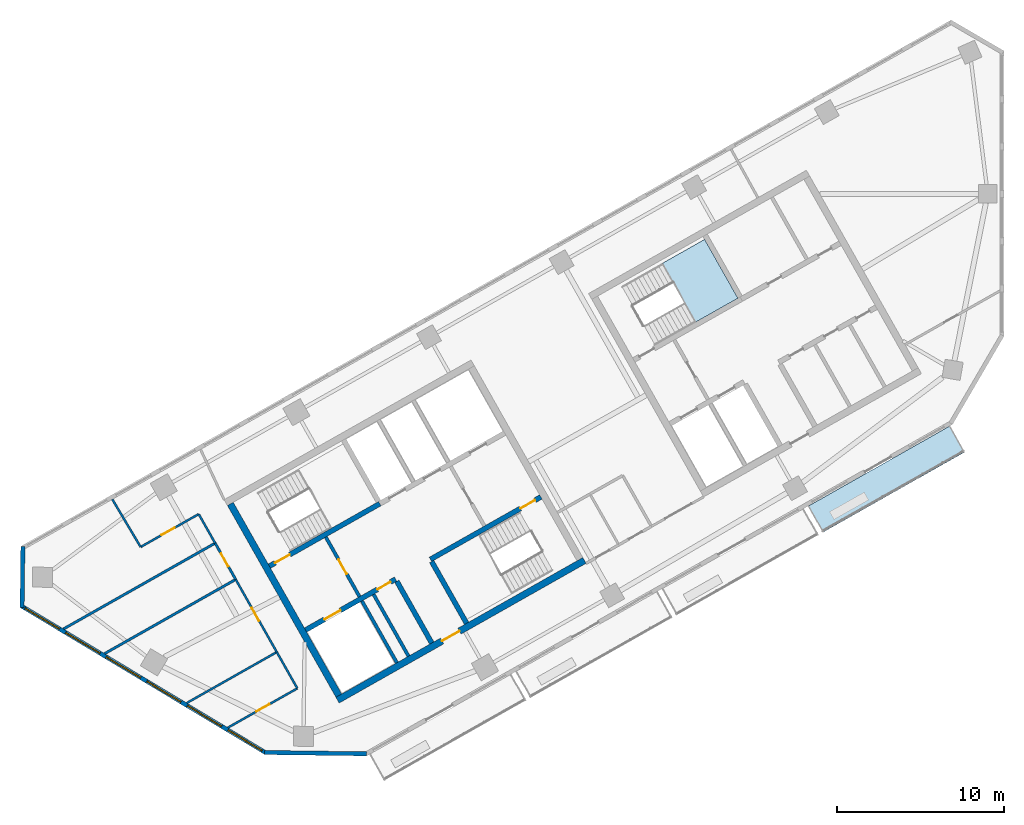
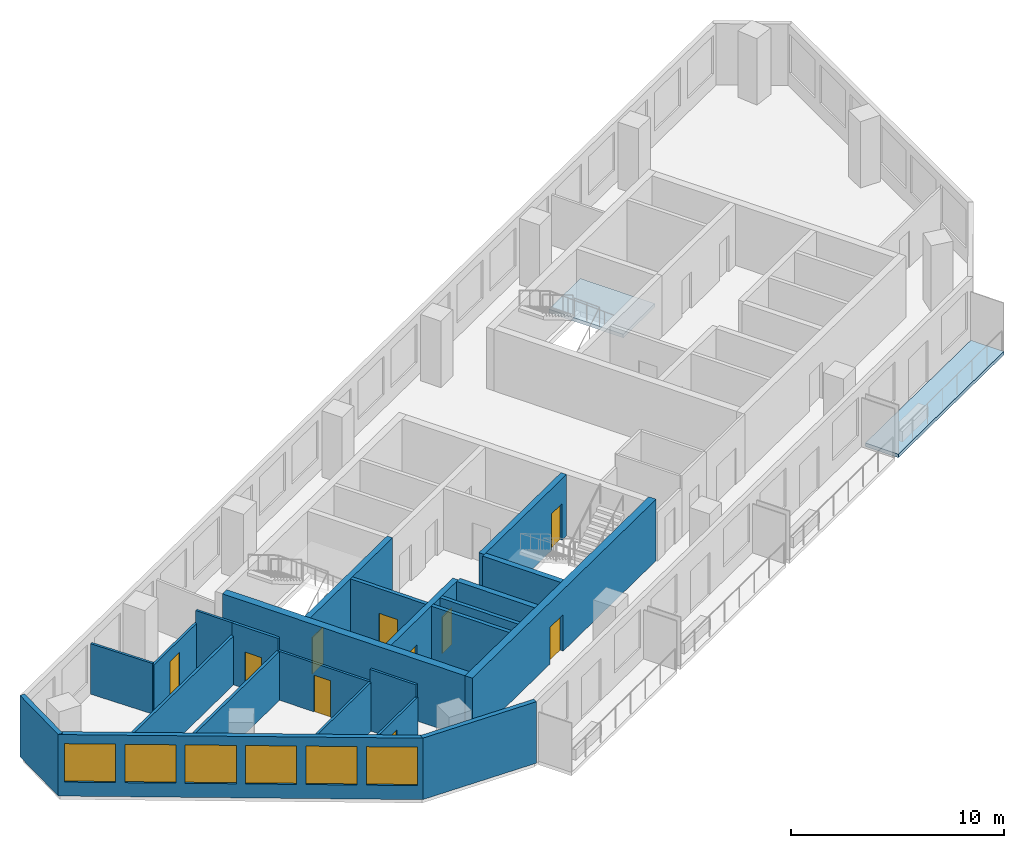
# One storey, part 2 of 7: 23 walls, 10 doors, 6 windows, 2 slabs, 16 openings, 1 element without a shape of its own.
"""IFC4 building model written with IfcOpenShell, lengths in metres."""

from ifc_helpers import new_model, si_unit, direction, frame, frame_2d, origin, place, context, subcontext, project, spatial, polyline, rectangle, outline, extrude, material, layer, layer_set, type_object, element, fill, aggregate, save


model = new_model("IFC4")

# Units and contexts
model_context = context("Model", 3, precision=1e-05, world=origin(), true_north=direction((0.0, 1.0)))
body_context = subcontext(model_context, "Body", "Model", "MODEL_VIEW")
ifc_project = project(units=[si_unit("LENGTHUNIT", "METRE"), si_unit("AREAUNIT", "SQUARE_METRE"), si_unit("VOLUMEUNIT", "CUBIC_METRE"), si_unit("PLANEANGLEUNIT", "RADIAN"), si_unit("MASSUNIT", "GRAM", prefix="KILO")], contexts=[model_context])

# Site, building, storey
site_placement = place(None, origin())
site = spatial("IfcSite", under=ifc_project, at=site_placement, CompositionType="ELEMENT")
building_placement = place(site_placement, origin())
building = spatial("IfcBuilding", under=site, at=building_placement, Name="Binnacle Exchange Tower", CompositionType="ELEMENT")
storey_placement = place(building_placement, frame((0.0, 0.0, 296.89990234375)))
storey = spatial("IfcBuildingStorey", under=building, at=storey_placement, Name="L66", CompositionType="ELEMENT", Elevation=296.89990234375)

# Slab
ifc_material_1 = material(Name="Concrete C35/45", Category="concrete")
ifc_layer_1 = layer(ifc_material_1, 0.199951171875)
ifc_layer_set_1 = layer_set([ifc_layer_1], Name="BALCONY SLAB 200")
slab_type_1 = type_object("IfcSlabType", Name="BALCONY SLAB 200", PredefinedType="FLOOR", material=ifc_layer_set_1)
slab_1_placement = place(storey_placement, frame((0.0, 0.0, -0.199951171875)))
element("IfcSlab", 1, at=slab_1_placement, inside=storey, type_object=slab_type_1, Name="Balcony BA-H07-03 L66", PredefinedType="FLOOR", context=body_context, shape_type="SweptSolid", body=[
    extrude(outline(polyline([(-11.616943359375, 41.28369140625), (-3.115234375, 46.093994140625), (-2.22900390625, 44.527099609375), (-10.730712890625, 39.717041015625), (-11.616943359375, 41.28369140625)])), origin(), (0.0, 0.0, 1.0), 0.199951171875),
])

# Stair, slab
stair_type = type_object("IfcStairType", Name="STAIR 22 RISERS 173", PredefinedType="HALF_TURN_STAIR", material=ifc_material_1)
stair_placement = place(storey_placement, origin())
stair = element("IfcStair", 2, at=stair_placement, inside=storey, type_object=stair_type, Name="L66 Escape stair C1", PredefinedType="HALF_TURN_STAIR")
ifc_layer_2 = layer(ifc_material_1, 0.199951171875)
ifc_layer_set_2 = layer_set([ifc_layer_2], Name="STAIR LANDING 200")
slab_type_2 = type_object("IfcSlabType", Name="STAIR LANDING 200", PredefinedType="LANDING", material=ifc_layer_set_2)
slab_2_placement = place(storey_placement, frame((0.0, 0.0, 1.7001953125)))
slab_2 = element("IfcSlab", 3, at=slab_2_placement, type_object=slab_type_2, Name="STC1 landing 1", PredefinedType="LANDING", context=body_context, shape_type="SweptSolid", body=[
    extrude(outline(polyline([(-18.364013671875, 52.31005859375), (-15.822509765625, 53.748046875), (-17.81689453125, 57.27294921875), (-20.3583984375, 55.8349609375), (-18.364013671875, 52.31005859375)])), origin(), (0.0, 0.0, 1.0), 0.199951171875),
])
aggregate(stair, [slab_2])

# Wall, openings, doors
ifc_material_2 = material(Name="Concrete C70/85", Category="concrete")
ifc_layer_3 = layer(ifc_material_2, 0.300048828125)
ifc_layer_set_3 = layer_set([ifc_layer_3], Name="Core wall - front 300")
wall_type_1 = type_object("IfcWallType", Name="Core wall - front 300", PredefinedType="SOLIDWALL", material=ifc_layer_set_3)
wall_1_placement = place(storey_placement, frame((-41.72998046875, 33.862548828125, 0.0), z_axis=(0.0, 0.0, 1.0), x_axis=(0.870350800578, 0.492432212525, 0.0)))
wall_1 = element("IfcWall", 4, at=wall_1_placement, inside=storey, type_object=wall_type_1, Name="Core wall CRWA2", PredefinedType="SOLIDWALL", context=body_context, shape_type="SweptSolid", body=[
    extrude(rectangle(XDim=6.19970703125, YDim=0.300048828125, at=frame_2d((3.099853515625, 0.0))), origin(), (0.0, 0.0, 1.0), 3.52001953125),
])
opening_1_placement = place(wall_1_placement, frame((1.300048828125, 0.0, 0.0)))
opening_1 = element("IfcOpeningElement", 5, at=opening_1_placement, cuts=wall_1, Name="Opening LD12", PredefinedType="OPENING", context=body_context, shape_type="SweptSolid", body=[
    extrude(rectangle(XDim=1.10009765625, YDim=2.10009765625, at=frame_2d((0.550048828125, 1.050048828125))), frame((0.0, 0.159912109375, 0.0), z_axis=(0.0, -1.0, 0.0), x_axis=(1.0, 0.0, 0.0)), (0.0, 0.0, 1.0), 0.320068359375),
])
opening_2_placement = place(wall_1_placement, frame((4.949951171875, 0.0, 0.0)))
opening_2 = element("IfcOpeningElement", 6, at=opening_2_placement, cuts=wall_1, Name="Opening DA14", PredefinedType="OPENING", context=body_context, shape_type="SweptSolid", body=[
    extrude(rectangle(XDim=0.89990234375, YDim=2.10009765625, at=frame_2d((0.449951171875, 1.050048828125))), frame((0.0, 0.159912109375, 0.0), z_axis=(0.0, -1.0, 0.0), x_axis=(1.0, 0.0, 0.0)), (0.0, 0.0, 1.0), 0.320068359375),
])
ifc_material_3 = material(Name="Steel door leaf", Category="steel")
door_type_1 = type_object("IfcDoorType", Name="Fire door - lift landing 1100", OperationType="NOTDEFINED", PredefinedType="DOOR", material=ifc_material_3)
door_1_placement = place(opening_1_placement, origin())
door_1 = element("IfcDoor", 7, at=door_1_placement, inside=storey, type_object=door_type_1, Name="Landing door LD12 L66", OperationType="DOUBLE_DOOR_SLIDING", OverallHeight=2.10009765625, OverallWidth=1.10009765625, PredefinedType="DOOR", context=body_context, shape_type="SweptSolid", body=[
    extrude(rectangle(XDim=1.10009765625, YDim=2.10009765625, at=frame_2d((0.550048828125, 1.050048828125))), frame((0.0, 0.02490234375, 0.0), z_axis=(0.0, -1.0, 0.0), x_axis=(1.0, 0.0, 0.0)), (0.0, 0.0, 1.0), 0.050048828125),
])
fill(opening_1, door_1)
door_type_2 = type_object("IfcDoorType", Name="Fire door 900", OperationType="NOTDEFINED", PredefinedType="DOOR", material=ifc_material_3)
door_2_placement = place(opening_2_placement, frame((0.89990234375, 0.0, 0.0), z_axis=(0.0, 0.0, 1.0), x_axis=(-1.0, 0.0, 0.0)))
door_2 = element("IfcDoor", 8, at=door_2_placement, inside=storey, type_object=door_type_2, Name="Core room door UPS CUPBOARD", OperationType="SINGLE_SWING_LEFT", OverallHeight=2.10009765625, OverallWidth=0.89990234375, PredefinedType="DOOR", context=body_context, shape_type="SweptSolid", body=[
    extrude(rectangle(XDim=0.89990234375, YDim=2.10009765625, at=frame_2d((0.449951171875, 1.050048828125))), frame((0.0, 0.02490234375, 0.0), z_axis=(0.0, -1.0, 0.0), x_axis=(1.0, 0.0, 0.0)), (0.0, 0.0, 1.0), 0.050048828125),
])
fill(opening_2, door_2)

# Wall
wall_2_placement = place(storey_placement, frame((-36.260009765625, 36.784912109375, 0.0), z_axis=(0.0, 0.0, 1.0), x_axis=(0.492422543467, -0.870356271124, 0.0)))
element("IfcWall", 9, at=wall_2_placement, inside=storey, type_object=wall_type_1, Name="Core wall CRWA13", PredefinedType="SOLIDWALL", context=body_context, shape_type="SweptSolid", body=[
    extrude(rectangle(XDim=4.25, YDim=0.300048828125, at=frame_2d((2.125, 0.0))), origin(), (0.0, 0.0, 1.0), 3.52001953125),
])

# Wall, opening, door
ifc_layer_4 = layer(ifc_material_2, 0.39990234375)
ifc_layer_set_4 = layer_set([ifc_layer_4], Name="Core wall - outer 400")
wall_type_2 = type_object("IfcWallType", Name="Core wall - outer 400", PredefinedType="SOLIDWALL", material=ifc_layer_set_4)
wall_3_placement = place(storey_placement, frame((-39.81298828125, 29.661865234375, 0.0), z_axis=(0.0, 0.0, 1.0), x_axis=(0.870350116061, 0.492433422375, 0.0)))
wall_3 = element("IfcWall", 10, at=wall_3_placement, inside=storey, type_object=wall_type_2, Name="Core wall CRWA1", PredefinedType="SOLIDWALL", context=body_context, shape_type="SweptSolid", body=[
    extrude(rectangle(XDim=17.0, YDim=0.39990234375, at=frame_2d((8.5, 0.0))), origin(), (0.0, 0.0, 1.0), 3.52001953125),
])
opening_3_placement = place(wall_3_placement, frame((7.199951171875, 0.0, 0.0)))
opening_3 = element("IfcOpeningElement", 11, at=opening_3_placement, cuts=wall_3, Name="Opening DA7", PredefinedType="OPENING", context=body_context, shape_type="SweptSolid", body=[
    extrude(rectangle(XDim=1.199951171875, YDim=2.10009765625, at=frame_2d((0.60009765625, 1.050048828125))), frame((0.0, 0.2099609375, 0.0), z_axis=(0.0, -1.0, 0.0), x_axis=(1.0, 0.0, 0.0)), (0.0, 0.0, 1.0), 0.419921875),
])
door_type_3 = type_object("IfcDoorType", Name="Fire door 1200", OperationType="NOTDEFINED", PredefinedType="DOOR", material=ifc_material_3)
door_3_placement = place(opening_3_placement, frame((1.199951171875, 0.0, 0.0), z_axis=(0.0, 0.0, 1.0), x_axis=(-1.0, 0.0, 0.0)))
door_3 = element("IfcDoor", 12, at=door_3_placement, inside=storey, type_object=door_type_3, Name="Lift lobby entrance door core A", OperationType="SINGLE_SWING_RIGHT", OverallHeight=2.10009765625, OverallWidth=1.199951171875, PredefinedType="DOOR", context=body_context, shape_type="SweptSolid", body=[
    extrude(rectangle(XDim=1.199951171875, YDim=2.10009765625, at=frame_2d((0.60009765625, 1.050048828125))), frame((0.0, 0.02490234375, 0.0), z_axis=(0.0, -1.0, 0.0), x_axis=(1.0, 0.0, 0.0)), (0.0, 0.0, 1.0), 0.050048828125),
])
fill(opening_3, door_3)

# Wall
wall_4_placement = place(storey_placement, frame((-46.237548828125, 41.423095703125, 0.0), z_axis=(0.0, 0.0, 1.0), x_axis=(0.492421663121, -0.870356769198, 0.0)))
element("IfcWall", 13, at=wall_4_placement, inside=storey, type_object=wall_type_2, Name="Core wall CRWA7", PredefinedType="SOLIDWALL", context=body_context, shape_type="SweptSolid", body=[
    extrude(rectangle(XDim=13.199951171875, YDim=0.39990234375, at=frame_2d((6.60009765625, 0.0))), origin(), (0.0, 0.0, 1.0), 3.52001953125),
])

# Wall, opening, door
ifc_layer_5 = layer(ifc_material_2, 0.300048828125)
ifc_layer_set_5 = layer_set([ifc_layer_5], Name="Core wall - stair 300")
wall_type_3 = type_object("IfcWallType", Name="Core wall - stair 300", PredefinedType="SOLIDWALL", material=ifc_layer_set_5)
wall_5_placement = place(storey_placement, frame((-34.2451171875, 38.097412109375, 0.0), z_axis=(0.0, 0.0, 1.0), x_axis=(0.870356351998, 0.492422400523, 0.0)))
wall_5 = element("IfcWall", 14, at=wall_5_placement, inside=storey, type_object=wall_type_3, Name="Core wall CRWA3", PredefinedType="SOLIDWALL", context=body_context, shape_type="SweptSolid", body=[
    extrude(rectangle(XDim=7.60009765625, YDim=0.300048828125, at=frame_2d((3.800048828125, 0.0))), origin(), (0.0, 0.0, 1.0), 3.52001953125),
])
opening_4_placement = place(wall_5_placement, frame((6.199951171875, 0.0, 0.0)))
opening_4 = element("IfcOpeningElement", 15, at=opening_4_placement, cuts=wall_5, Name="Opening DA2", PredefinedType="OPENING", context=body_context, shape_type="SweptSolid", body=[
    extrude(rectangle(XDim=1.0, YDim=2.10009765625, at=frame_2d((0.5, 1.050048828125))), frame((0.0, 0.159912109375, 0.0), z_axis=(0.0, -1.0, 0.0), x_axis=(1.0, 0.0, 0.0)), (0.0, 0.0, 1.0), 0.320068359375),
])
door_type_4 = type_object("IfcDoorType", Name="Fire door 1000", OperationType="NOTDEFINED", PredefinedType="DOOR", material=ifc_material_3)
door_4_placement = place(opening_4_placement, frame((1.0, 0.0, 0.0), z_axis=(0.0, 0.0, 1.0), x_axis=(-1.0, 0.0, 0.0)))
door_4 = element("IfcDoor", 16, at=door_4_placement, inside=storey, type_object=door_type_4, Name="Stair door ST-A2", OperationType="SINGLE_SWING_LEFT", OverallHeight=2.10009765625, OverallWidth=1.0, PredefinedType="DOOR", context=body_context, shape_type="SweptSolid", body=[
    extrude(rectangle(XDim=1.0, YDim=2.10009765625, at=frame_2d((0.5, 1.050048828125))), frame((0.0, 0.02490234375, 0.0), z_axis=(0.0, -1.0, 0.0), x_axis=(1.0, 0.0, 0.0)), (0.0, 0.0, 1.0), 0.050048828125),
])
fill(opening_4, door_4)

wall_6_placement = place(storey_placement, frame((-43.896728515625, 37.692138671875, 0.0), z_axis=(0.0, 0.0, 1.0), x_axis=(0.870356351998, 0.492422400523, 0.0)))
wall_6 = element("IfcWall", 17, at=wall_6_placement, inside=storey, type_object=wall_type_3, Name="Core wall CRWA4", PredefinedType="SOLIDWALL", context=body_context, shape_type="SweptSolid", body=[
    extrude(rectangle(XDim=7.60009765625, YDim=0.300048828125, at=frame_2d((3.800048828125, 0.0))), origin(), (0.0, 0.0, 1.0), 3.52001953125),
])
opening_5_placement = place(wall_6_placement, frame((0.39990234375, 0.0, 0.0)))
opening_5 = element("IfcOpeningElement", 18, at=opening_5_placement, cuts=wall_6, Name="Opening DA1", PredefinedType="OPENING", context=body_context, shape_type="SweptSolid", body=[
    extrude(rectangle(XDim=1.0, YDim=2.10009765625, at=frame_2d((0.5, 1.050048828125))), frame((0.0, 0.159912109375, 0.0), z_axis=(0.0, -1.0, 0.0), x_axis=(1.0, 0.0, 0.0)), (0.0, 0.0, 1.0), 0.320068359375),
])
door_5_placement = place(opening_5_placement, origin())
door_5 = element("IfcDoor", 19, at=door_5_placement, inside=storey, type_object=door_type_4, Name="Stair door ST-A1", OperationType="SINGLE_SWING_LEFT", OverallHeight=2.10009765625, OverallWidth=1.0, PredefinedType="DOOR", context=body_context, shape_type="SweptSolid", body=[
    extrude(rectangle(XDim=1.0, YDim=2.10009765625, at=frame_2d((0.5, 1.050048828125))), frame((0.0, 0.02490234375, 0.0), z_axis=(0.0, -1.0, 0.0), x_axis=(1.0, 0.0, 0.0)), (0.0, 0.0, 1.0), 0.050048828125),
])
fill(opening_5, door_5)

# Walls
wall_7_placement = place(storey_placement, frame((-34.171142578125, 37.966796875, 0.0), z_axis=(0.0, 0.0, 1.0), x_axis=(0.492422543467, -0.870356271124, 0.0)))
element("IfcWall", 20, at=wall_7_placement, inside=storey, type_object=wall_type_3, Name="Core wall CRWA16", PredefinedType="SOLIDWALL", context=body_context, shape_type="SweptSolid", body=[
    extrude(rectangle(XDim=4.25, YDim=0.300048828125, at=frame_2d((2.125, 0.0))), origin(), (0.0, 0.0, 1.0), 3.52001953125),
])
ifc_material_4 = material(Name="Bronze aluminium cladding", Category="aluminium")
ifc_layer_6 = layer(ifc_material_4, 0.25)
ifc_layer_set_6 = layer_set([ifc_layer_6], Name="External wall - window wall 250")
wall_type_4 = type_object("IfcWallType", Name="External wall - window wall 250", PredefinedType="STANDARD", material=ifc_layer_set_6)
wall_8_placement = place(storey_placement, frame((-58.717041015625, 35.208251953125, 0.0), z_axis=(0.0, 0.0, 1.0), x_axis=(0.01310512158, 0.999914124207, 0.0)))
element("IfcWall", 21, at=wall_8_placement, inside=storey, type_object=wall_type_4, Name="External wall EW-H04 L66", PredefinedType="STANDARD", context=body_context, shape_type="SweptSolid", body=[
    extrude(rectangle(XDim=3.669921875, YDim=0.25, at=frame_2d((1.8349609375, 0.0))), origin(), (0.0, 0.0, 1.0), 3.52001953125),
])

# Wall, openings, windows
wall_9_placement = place(storey_placement, frame((-44.115234375, 26.507080078125, 0.0), z_axis=(0.0, 0.0, 1.0), x_axis=(-0.857166583633, 0.515039268311, 0.0)))
wall_9 = element("IfcWall", 22, at=wall_9_placement, inside=storey, type_object=wall_type_4, Name="External wall EW-H05 L66", PredefinedType="STANDARD", context=body_context, shape_type="SweptSolid", body=[
    extrude(rectangle(XDim=17.105712890625, YDim=0.25, at=frame_2d((8.552734375, 0.0))), origin(), (0.0, 0.0, 1.0), 3.52001953125),
])
opening_6_placement = place(wall_9_placement, frame((14.4169921875, 0.0, 0.800048828125)))
opening_6 = element("IfcOpeningElement", 23, at=opening_6_placement, cuts=wall_9, Name="Opening WR2", PredefinedType="OPENING", context=body_context, shape_type="SweptSolid", body=[
    extrude(rectangle(XDim=2.39990234375, YDim=2.199951171875, at=frame_2d((1.199951171875, 1.10009765625))), frame((0.0, 0.135009765625, 0.0), z_axis=(0.0, -1.0, 0.0), x_axis=(1.0, 0.0, 0.0)), (0.0, 0.0, 1.0), 0.27001953125),
])
opening_7_placement = place(wall_9_placement, frame((11.583740234375, 0.0, 0.800048828125)))
opening_7 = element("IfcOpeningElement", 24, at=opening_7_placement, cuts=wall_9, Name="Opening WR2", PredefinedType="OPENING", context=body_context, shape_type="SweptSolid", body=[
    extrude(rectangle(XDim=2.39990234375, YDim=2.199951171875, at=frame_2d((1.199951171875, 1.10009765625))), frame((0.0, 0.135009765625, 0.0), z_axis=(0.0, -1.0, 0.0), x_axis=(1.0, 0.0, 0.0)), (0.0, 0.0, 1.0), 0.27001953125),
])
opening_8_placement = place(wall_9_placement, frame((8.75048828125, 0.0, 0.800048828125)))
opening_8 = element("IfcOpeningElement", 25, at=opening_8_placement, cuts=wall_9, Name="Opening WR2", PredefinedType="OPENING", context=body_context, shape_type="SweptSolid", body=[
    extrude(rectangle(XDim=2.39990234375, YDim=2.199951171875, at=frame_2d((1.199951171875, 1.10009765625))), frame((0.0, 0.135009765625, 0.0), z_axis=(0.0, -1.0, 0.0), x_axis=(1.0, 0.0, 0.0)), (0.0, 0.0, 1.0), 0.27001953125),
])
opening_9_placement = place(wall_9_placement, frame((5.9169921875, 0.0, 0.800048828125)))
opening_9 = element("IfcOpeningElement", 26, at=opening_9_placement, cuts=wall_9, Name="Opening WR2", PredefinedType="OPENING", context=body_context, shape_type="SweptSolid", body=[
    extrude(rectangle(XDim=2.39990234375, YDim=2.199951171875, at=frame_2d((1.199951171875, 1.10009765625))), frame((0.0, 0.135009765625, 0.0), z_axis=(0.0, -1.0, 0.0), x_axis=(1.0, 0.0, 0.0)), (0.0, 0.0, 1.0), 0.27001953125),
])
opening_10_placement = place(wall_9_placement, frame((3.083740234375, 0.0, 0.800048828125)))
opening_10 = element("IfcOpeningElement", 27, at=opening_10_placement, cuts=wall_9, Name="Opening WR2", PredefinedType="OPENING", context=body_context, shape_type="SweptSolid", body=[
    extrude(rectangle(XDim=2.39990234375, YDim=2.199951171875, at=frame_2d((1.199951171875, 1.10009765625))), frame((0.0, 0.135009765625, 0.0), z_axis=(0.0, -1.0, 0.0), x_axis=(1.0, 0.0, 0.0)), (0.0, 0.0, 1.0), 0.27001953125),
])
opening_11_placement = place(wall_9_placement, frame((0.25048828125, 0.0, 0.800048828125)))
opening_11 = element("IfcOpeningElement", 28, at=opening_11_placement, cuts=wall_9, Name="Opening WR2", PredefinedType="OPENING", context=body_context, shape_type="SweptSolid", body=[
    extrude(rectangle(XDim=2.39990234375, YDim=2.199951171875, at=frame_2d((1.199951171875, 1.10009765625))), frame((0.0, 0.135009765625, 0.0), z_axis=(0.0, -1.0, 0.0), x_axis=(1.0, 0.0, 0.0)), (0.0, 0.0, 1.0), 0.27001953125),
])
ifc_material_5 = material(Name="Bronze anodised aluminium frame", Category="aluminium")
window_type = type_object("IfcWindowType", Name="WR2 WINDOW 2400x2200", PartitioningType="SINGLE_PANEL", PredefinedType="WINDOW", material=ifc_material_5)
window_1_placement = place(opening_6_placement, origin())
window_1 = element("IfcWindow", 29, at=window_1_placement, inside=storey, type_object=window_type, Name="Window WR2 L66", OverallHeight=2.199951171875, OverallWidth=2.39990234375, PartitioningType="SINGLE_PANEL", PredefinedType="WINDOW", context=body_context, shape_type="SweptSolid", body=[
    extrude(rectangle(XDim=2.39990234375, YDim=2.199951171875, at=frame_2d((1.199951171875, 1.10009765625))), frame((0.0, 0.030029296875, 0.0), z_axis=(0.0, -1.0, 0.0), x_axis=(1.0, 0.0, 0.0)), (0.0, 0.0, 1.0), 0.06005859375),
])
fill(opening_6, window_1)
window_2_placement = place(opening_7_placement, origin())
window_2 = element("IfcWindow", 30, at=window_2_placement, inside=storey, type_object=window_type, Name="Window WR2 L66", OverallHeight=2.199951171875, OverallWidth=2.39990234375, PartitioningType="SINGLE_PANEL", PredefinedType="WINDOW", context=body_context, shape_type="SweptSolid", body=[
    extrude(rectangle(XDim=2.39990234375, YDim=2.199951171875, at=frame_2d((1.199951171875, 1.10009765625))), frame((0.0, 0.030029296875, 0.0), z_axis=(0.0, -1.0, 0.0), x_axis=(1.0, 0.0, 0.0)), (0.0, 0.0, 1.0), 0.06005859375),
])
fill(opening_7, window_2)
window_3_placement = place(opening_8_placement, origin())
window_3 = element("IfcWindow", 31, at=window_3_placement, inside=storey, type_object=window_type, Name="Window WR2 L66", OverallHeight=2.199951171875, OverallWidth=2.39990234375, PartitioningType="SINGLE_PANEL", PredefinedType="WINDOW", context=body_context, shape_type="SweptSolid", body=[
    extrude(rectangle(XDim=2.39990234375, YDim=2.199951171875, at=frame_2d((1.199951171875, 1.10009765625))), frame((0.0, 0.030029296875, 0.0), z_axis=(0.0, -1.0, 0.0), x_axis=(1.0, 0.0, 0.0)), (0.0, 0.0, 1.0), 0.06005859375),
])
fill(opening_8, window_3)
window_4_placement = place(opening_9_placement, origin())
window_4 = element("IfcWindow", 32, at=window_4_placement, inside=storey, type_object=window_type, Name="Window WR2 L66", OverallHeight=2.199951171875, OverallWidth=2.39990234375, PartitioningType="SINGLE_PANEL", PredefinedType="WINDOW", context=body_context, shape_type="SweptSolid", body=[
    extrude(rectangle(XDim=2.39990234375, YDim=2.199951171875, at=frame_2d((1.199951171875, 1.10009765625))), frame((0.0, 0.030029296875, 0.0), z_axis=(0.0, -1.0, 0.0), x_axis=(1.0, 0.0, 0.0)), (0.0, 0.0, 1.0), 0.06005859375),
])
fill(opening_9, window_4)
window_5_placement = place(opening_10_placement, origin())
window_5 = element("IfcWindow", 33, at=window_5_placement, inside=storey, type_object=window_type, Name="Window WR2 L66", OverallHeight=2.199951171875, OverallWidth=2.39990234375, PartitioningType="SINGLE_PANEL", PredefinedType="WINDOW", context=body_context, shape_type="SweptSolid", body=[
    extrude(rectangle(XDim=2.39990234375, YDim=2.199951171875, at=frame_2d((1.199951171875, 1.10009765625))), frame((0.0, 0.030029296875, 0.0), z_axis=(0.0, -1.0, 0.0), x_axis=(1.0, 0.0, 0.0)), (0.0, 0.0, 1.0), 0.06005859375),
])
fill(opening_10, window_5)
window_6_placement = place(opening_11_placement, origin())
window_6 = element("IfcWindow", 34, at=window_6_placement, inside=storey, type_object=window_type, Name="Window WR2 L66", OverallHeight=2.199951171875, OverallWidth=2.39990234375, PartitioningType="SINGLE_PANEL", PredefinedType="WINDOW", context=body_context, shape_type="SweptSolid", body=[
    extrude(rectangle(XDim=2.39990234375, YDim=2.199951171875, at=frame_2d((1.199951171875, 1.10009765625))), frame((0.0, 0.030029296875, 0.0), z_axis=(0.0, -1.0, 0.0), x_axis=(1.0, 0.0, 0.0)), (0.0, 0.0, 1.0), 0.06005859375),
])
fill(opening_11, window_6)

# Wall
wall_10_placement = place(storey_placement, frame((-38.06396484375, 26.44482421875, 0.0), z_axis=(0.0, 0.0, 1.0), x_axis=(-0.999914239143, 0.013096349097, 0.0)))
element("IfcWall", 35, at=wall_10_placement, inside=storey, type_object=wall_type_4, Name="External wall EW-H06 L66", PredefinedType="STANDARD", context=body_context, shape_type="SweptSolid", body=[
    extrude(rectangle(XDim=6.114501953125, YDim=0.25, at=frame_2d((3.05712890625, 0.0))), origin(), (0.0, 0.0, 1.0), 3.52001953125),
])

# Wall, opening, door
ifc_material_6 = material(Name="Masonry block wall", Category="masonry")
ifc_layer_7 = layer(ifc_material_6, 0.199951171875)
ifc_layer_set_7 = layer_set([ifc_layer_7], Name="Fire wall - vestibule 200")
wall_type_5 = type_object("IfcWallType", Name="Fire wall - vestibule 200", PredefinedType="PARTITIONING", material=ifc_layer_set_7)
wall_11_placement = place(storey_placement, frame((-40.515625, 39.4326171875, 0.0), z_axis=(0.0, 0.0, 1.0), x_axis=(0.492453559952, -0.87033872216, 0.0)))
wall_11 = element("IfcWall", 36, at=wall_11_placement, inside=storey, type_object=wall_type_5, Name="Core wall CRWA10", PredefinedType="PARTITIONING", context=body_context, shape_type="SweptSolid", body=[
    extrude(rectangle(XDim=4.099853515625, YDim=0.199951171875, at=frame_2d((2.0498046875, 0.0))), origin(), (0.0, 0.0, 1.0), 3.52001953125),
])
opening_12_placement = place(wall_11_placement, frame((1.550048828125, 0.0, 0.0)))
opening_12 = element("IfcOpeningElement", 37, at=opening_12_placement, cuts=wall_11, Name="Opening DA3", PredefinedType="OPENING", context=body_context, shape_type="SweptSolid", body=[
    extrude(rectangle(XDim=1.0, YDim=2.10009765625, at=frame_2d((0.5, 1.050048828125))), frame((0.0, 0.10986328125, 0.0), z_axis=(0.0, -1.0, 0.0), x_axis=(1.0, 0.0, 0.0)), (0.0, 0.0, 1.0), 0.219970703125),
])
door_6_placement = place(opening_12_placement, frame((1.0, 0.0, 0.0), z_axis=(0.0, 0.0, 1.0), x_axis=(-1.0, 0.0, 0.0)))
door_6 = element("IfcDoor", 38, at=door_6_placement, inside=storey, type_object=door_type_4, Name="Vestibule door VEST-W", OperationType="SINGLE_SWING_LEFT", OverallHeight=2.10009765625, OverallWidth=1.0, PredefinedType="DOOR", context=body_context, shape_type="SweptSolid", body=[
    extrude(rectangle(XDim=1.0, YDim=2.10009765625, at=frame_2d((0.5, 1.050048828125))), frame((0.0, 0.02490234375, 0.0), z_axis=(0.0, -1.0, 0.0), x_axis=(1.0, 0.0, 0.0)), (0.0, 0.0, 1.0), 0.050048828125),
])
fill(opening_12, door_6)

# Walls
ifc_material_7 = material(Name="Gypsum partition fire rated")
ifc_layer_8 = layer(ifc_material_7, 0.14990234375)
ifc_layer_set_8 = layer_set([ifc_layer_8], Name="Fire-rated partition 150")
wall_type_6 = type_object("IfcWallType", Name="Fire-rated partition 150", PredefinedType="PARTITIONING", material=ifc_layer_set_8)
wall_12_placement = place(storey_placement, frame((-56.22900390625, 33.931884765625, 0.0), z_axis=(0.0, 0.0, 1.0), x_axis=(0.870363189886, 0.492410314364, 0.0)))
element("IfcWall", 39, at=wall_12_placement, inside=storey, type_object=wall_type_6, Name="Partition W01", PredefinedType="PARTITIONING", context=body_context, shape_type="SweptSolid", body=[
    extrude(rectangle(XDim=10.434814453125, YDim=0.14990234375, at=frame_2d((5.21728515625, 0.0))), origin(), (0.0, 0.0, 1.0), 2.800048828125),
])
wall_13_placement = place(storey_placement, frame((-53.76708984375, 32.452880859375, 0.0), z_axis=(0.0, 0.0, 1.0), x_axis=(0.870345499828, 0.492441581235, 0.0)))
element("IfcWall", 40, at=wall_13_placement, inside=storey, type_object=wall_type_6, Name="Partition W02", PredefinedType="PARTITIONING", context=body_context, shape_type="SweptSolid", body=[
    extrude(rectangle(XDim=9.020751953125, YDim=0.14990234375, at=frame_2d((4.51025390625, 0.0))), origin(), (0.0, 0.0, 1.0), 2.800048828125),
])

# Wall, opening, door
wall_14_placement = place(storey_placement, frame((-47.14697265625, 39.070068359375, 0.0), z_axis=(0.0, 0.0, 1.0), x_axis=(0.492536798944, -0.870291618761, 0.0)))
wall_14 = element("IfcWall", 41, at=wall_14_placement, inside=storey, type_object=wall_type_6, Name="Partition W08", PredefinedType="PARTITIONING", context=body_context, shape_type="SweptSolid", body=[
    extrude(rectangle(XDim=2.499267578125, YDim=0.14990234375, at=frame_2d((1.24951171875, 0.0))), origin(), (0.0, 0.0, 1.0), 3.52001953125),
])
opening_13_placement = place(wall_14_placement, frame((0.699951171875, 0.0, 0.0)))
opening_13 = element("IfcOpeningElement", 42, at=opening_13_placement, cuts=wall_14, Name="Opening DL65-03", PredefinedType="OPENING", context=body_context, shape_type="SweptSolid", body=[
    extrude(rectangle(XDim=0.89990234375, YDim=2.10009765625, at=frame_2d((0.449951171875, 1.050048828125))), frame((0.0, 0.0849609375, 0.0), z_axis=(0.0, -1.0, 0.0), x_axis=(1.0, 0.0, 0.0)), (0.0, 0.0, 1.0), 0.169921875),
])
door_7_placement = place(opening_13_placement, frame((0.89990234375, 0.0, 0.0), z_axis=(0.0, 0.0, 1.0), x_axis=(-1.0, 0.0, 0.0)))
door_7 = element("IfcDoor", 43, at=door_7_placement, inside=storey, type_object=door_type_2, Name="Door DL65-03", OperationType="SINGLE_SWING_RIGHT", OverallHeight=2.10009765625, OverallWidth=0.89990234375, PredefinedType="DOOR", context=body_context, shape_type="SweptSolid", body=[
    extrude(rectangle(XDim=0.89990234375, YDim=2.10009765625, at=frame_2d((0.449951171875, 1.050048828125))), frame((0.0, 0.02490234375, 0.0), z_axis=(0.0, -1.0, 0.0), x_axis=(1.0, 0.0, 0.0)), (0.0, 0.0, 1.0), 0.050048828125),
])
fill(opening_13, door_7)

# Wall
ifc_material_8 = material(Name="Gypsum partition")
ifc_layer_9 = layer(ifc_material_8, 0.125)
ifc_layer_set_9 = layer_set([ifc_layer_9], Name="Partition 125")
wall_type_7 = type_object("IfcWallType", Name="Partition 125", PredefinedType="PARTITIONING", material=ifc_layer_set_9)
wall_15_placement = place(storey_placement, frame((-53.30908203125, 41.696044921875, 0.0), z_axis=(0.0, 0.0, 1.0), x_axis=(0.510739180143, -0.859735709312, 0.0)))
element("IfcWall", 44, at=wall_15_placement, inside=storey, type_object=wall_type_7, Name="Partition W03", PredefinedType="PARTITIONING", context=body_context, shape_type="SweptSolid", body=[
    extrude(rectangle(XDim=3.32080078125, YDim=0.125, at=frame_2d((1.660400390625, 0.0))), origin(), (0.0, 0.0, 1.0), 2.89404296875),
])

# Wall, opening, door
wall_16_placement = place(storey_placement, frame((-51.613037109375, 38.841064453125, 0.0), z_axis=(0.0, 0.0, 1.0), x_axis=(0.870297830159, 0.492525823506, 0.0)))
wall_16 = element("IfcWall", 45, at=wall_16_placement, inside=storey, type_object=wall_type_7, Name="Partition W04", PredefinedType="PARTITIONING", context=body_context, shape_type="SweptSolid", body=[
    extrude(rectangle(XDim=3.999755859375, YDim=0.125, at=frame_2d((2.0, 0.0))), origin(), (0.0, 0.0, 1.0), 2.800048828125),
])
opening_14_placement = place(wall_16_placement, frame((1.449951171875, 0.0, 0.0)))
opening_14 = element("IfcOpeningElement", 46, at=opening_14_placement, cuts=wall_16, Name="Opening DL65-04", PredefinedType="OPENING", context=body_context, shape_type="SweptSolid", body=[
    extrude(rectangle(XDim=0.89990234375, YDim=2.10009765625, at=frame_2d((0.449951171875, 1.050048828125))), frame((0.0, 0.072509765625, 0.0), z_axis=(0.0, -1.0, 0.0), x_axis=(1.0, 0.0, 0.0)), (0.0, 0.0, 1.0), 0.14501953125),
])
ifc_material_9 = material(Name="Timber door leaf", Category="wood")
door_type_5 = type_object("IfcDoorType", Name="Door 900", OperationType="NOTDEFINED", PredefinedType="DOOR", material=ifc_material_9)
door_8_placement = place(opening_14_placement, frame((0.89990234375, 0.0, 0.0), z_axis=(0.0, 0.0, 1.0), x_axis=(-1.0, 0.0, 0.0)))
door_8 = element("IfcDoor", 47, at=door_8_placement, inside=storey, type_object=door_type_5, Name="Door DL65-04", OperationType="SINGLE_SWING_RIGHT", OverallHeight=2.10009765625, OverallWidth=0.89990234375, PredefinedType="DOOR", context=body_context, shape_type="SweptSolid", body=[
    extrude(rectangle(XDim=0.89990234375, YDim=2.10009765625, at=frame_2d((0.449951171875, 1.050048828125))), frame((0.0, 0.02490234375, 0.0), z_axis=(0.0, -1.0, 0.0), x_axis=(1.0, 0.0, 0.0)), (0.0, 0.0, 1.0), 0.050048828125),
])
fill(opening_14, door_8)

# Walls
wall_17_placement = place(storey_placement, frame((-48.843017578125, 29.493896484375, 0.0), z_axis=(0.0, 0.0, 1.0), x_axis=(0.870343909083, 0.492444392721, 0.0)))
element("IfcWall", 48, at=wall_17_placement, inside=storey, type_object=wall_type_7, Name="Partition W05", PredefinedType="PARTITIONING", context=body_context, shape_type="SweptSolid", body=[
    extrude(rectangle(XDim=6.191650390625, YDim=0.125, at=frame_2d((3.095703125, 0.0))), origin(), (0.0, 0.0, 1.0), 2.800048828125),
])
wall_18_placement = place(storey_placement, frame((-48.132080078125, 40.81103515625, 0.0), z_axis=(0.0, 0.0, 1.0), x_axis=(0.492467412326, -0.870330884088, 0.0)))
element("IfcWall", 49, at=wall_18_placement, inside=storey, type_object=wall_type_7, Name="Partition W06", PredefinedType="PARTITIONING", context=body_context, shape_type="SweptSolid", body=[
    extrude(rectangle(XDim=2.000244140625, YDim=0.125, at=frame_2d((1.0, 0.0))), origin(), (0.0, 0.0, 1.0), 3.52001953125),
])

# Wall, opening, door
wall_19_placement = place(storey_placement, frame((-46.381103515625, 28.014892578125, 0.0), z_axis=(0.0, 0.0, 1.0), x_axis=(0.870404795821, 0.49233676626, 0.0)))
wall_19 = element("IfcWall", 50, at=wall_19_placement, inside=storey, type_object=wall_type_7, Name="Partition W09", PredefinedType="PARTITIONING", context=body_context, shape_type="SweptSolid", body=[
    extrude(rectangle(XDim=4.77734375, YDim=0.125, at=frame_2d((2.388671875, 0.0))), origin(), (0.0, 0.0, 1.0), 2.800048828125),
])
opening_15_placement = place(wall_19_placement, frame((1.949951171875, 0.0, 0.0)))
opening_15 = element("IfcOpeningElement", 51, at=opening_15_placement, cuts=wall_19, Name="Opening DL65-01", PredefinedType="OPENING", context=body_context, shape_type="SweptSolid", body=[
    extrude(rectangle(XDim=0.89990234375, YDim=2.10009765625, at=frame_2d((0.449951171875, 1.050048828125))), frame((0.0, 0.072509765625, 0.0), z_axis=(0.0, -1.0, 0.0), x_axis=(1.0, 0.0, 0.0)), (0.0, 0.0, 1.0), 0.14501953125),
])
door_9_placement = place(opening_15_placement, origin())
door_9 = element("IfcDoor", 52, at=door_9_placement, inside=storey, type_object=door_type_5, Name="Door DL65-01", OperationType="SINGLE_SWING_RIGHT", OverallHeight=2.10009765625, OverallWidth=0.89990234375, PredefinedType="DOOR", context=body_context, shape_type="SweptSolid", body=[
    extrude(rectangle(XDim=0.89990234375, YDim=2.10009765625, at=frame_2d((0.449951171875, 1.050048828125))), frame((0.0, 0.02490234375, 0.0), z_axis=(0.0, -1.0, 0.0), x_axis=(1.0, 0.0, 0.0)), (0.0, 0.0, 1.0), 0.050048828125),
])
fill(opening_15, door_9)

wall_20_placement = place(storey_placement, frame((-45.916015625, 36.89501953125, 0.0), z_axis=(0.0, 0.0, 1.0), x_axis=(0.492369352746, -0.870386362759, 0.0)))
wall_20 = element("IfcWall", 53, at=wall_20_placement, inside=storey, type_object=wall_type_7, Name="Partition W10", PredefinedType="PARTITIONING", context=body_context, shape_type="SweptSolid", body=[
    extrude(rectangle(XDim=5.000244140625, YDim=0.125, at=frame_2d((2.5, 0.0))), origin(), (0.0, 0.0, 1.0), 2.800048828125),
])
opening_16_placement = place(wall_20_placement, frame((1.949951171875, 0.0, 0.0)))
opening_16 = element("IfcOpeningElement", 54, at=opening_16_placement, cuts=wall_20, Name="Opening DL65-02", PredefinedType="OPENING", context=body_context, shape_type="SweptSolid", body=[
    extrude(rectangle(XDim=0.89990234375, YDim=2.10009765625, at=frame_2d((0.449951171875, 1.050048828125))), frame((0.0, 0.072509765625, 0.0), z_axis=(0.0, -1.0, 0.0), x_axis=(1.0, 0.0, 0.0)), (0.0, 0.0, 1.0), 0.14501953125),
])
door_10_placement = place(opening_16_placement, frame((0.89990234375, 0.0, 0.0), z_axis=(0.0, 0.0, 1.0), x_axis=(-1.0, 0.0, 0.0)))
door_10 = element("IfcDoor", 55, at=door_10_placement, inside=storey, type_object=door_type_5, Name="Door DL65-02", OperationType="SINGLE_SWING_RIGHT", OverallHeight=2.10009765625, OverallWidth=0.89990234375, PredefinedType="DOOR", context=body_context, shape_type="SweptSolid", body=[
    extrude(rectangle(XDim=0.89990234375, YDim=2.10009765625, at=frame_2d((0.449951171875, 1.050048828125))), frame((0.0, 0.02490234375, 0.0), z_axis=(0.0, -1.0, 0.0), x_axis=(1.0, 0.0, 0.0)), (0.0, 0.0, 1.0), 0.050048828125),
])
fill(opening_16, door_10)

# Walls
wall_21_placement = place(storey_placement, frame((-43.4541015625, 32.54296875, 0.0), z_axis=(0.0, 0.0, 1.0), x_axis=(0.49244332707, -0.870344512032, 0.0)))
element("IfcWall", 56, at=wall_21_placement, inside=storey, type_object=wall_type_7, Name="Partition W11", PredefinedType="PARTITIONING", context=body_context, shape_type="SweptSolid", body=[
    extrude(rectangle(XDim=2.500244140625, YDim=0.125, at=frame_2d((1.25, 0.0))), origin(), (0.0, 0.0, 1.0), 3.52001953125),
])
ifc_layer_10 = layer(ifc_material_6, 0.199951171875)
ifc_layer_set_10 = layer_set([ifc_layer_10], Name="Riser wall 200")
wall_type_8 = type_object("IfcWallType", Name="Riser wall 200", PredefinedType="SOLIDWALL", material=ifc_layer_set_10)
wall_22_placement = place(storey_placement, frame((-38.348876953125, 35.603271484375, 0.0), z_axis=(0.0, 0.0, 1.0), x_axis=(0.492397924348, -0.870370199454, 0.0)))
element("IfcWall", 57, at=wall_22_placement, inside=storey, type_object=wall_type_8, Name="Core wall CRWA8", PredefinedType="SOLIDWALL", context=body_context, shape_type="SweptSolid", body=[
    extrude(rectangle(XDim=4.250244140625, YDim=0.199951171875, at=frame_2d((2.125, 0.0))), origin(), (0.0, 0.0, 1.0), 3.52001953125),
])
wall_23_placement = place(storey_placement, frame((-37.652587890625, 35.9970703125, 0.0), z_axis=(0.0, 0.0, 1.0), x_axis=(0.492422543467, -0.870356271124, 0.0)))
element("IfcWall", 58, at=wall_23_placement, inside=storey, type_object=wall_type_8, Name="Core wall CRWA11", PredefinedType="SOLIDWALL", context=body_context, shape_type="SweptSolid", body=[
    extrude(rectangle(XDim=4.25, YDim=0.199951171875, at=frame_2d((2.125, 0.0))), origin(), (0.0, 0.0, 1.0), 3.52001953125),
])

save(model, "model.ifc")
